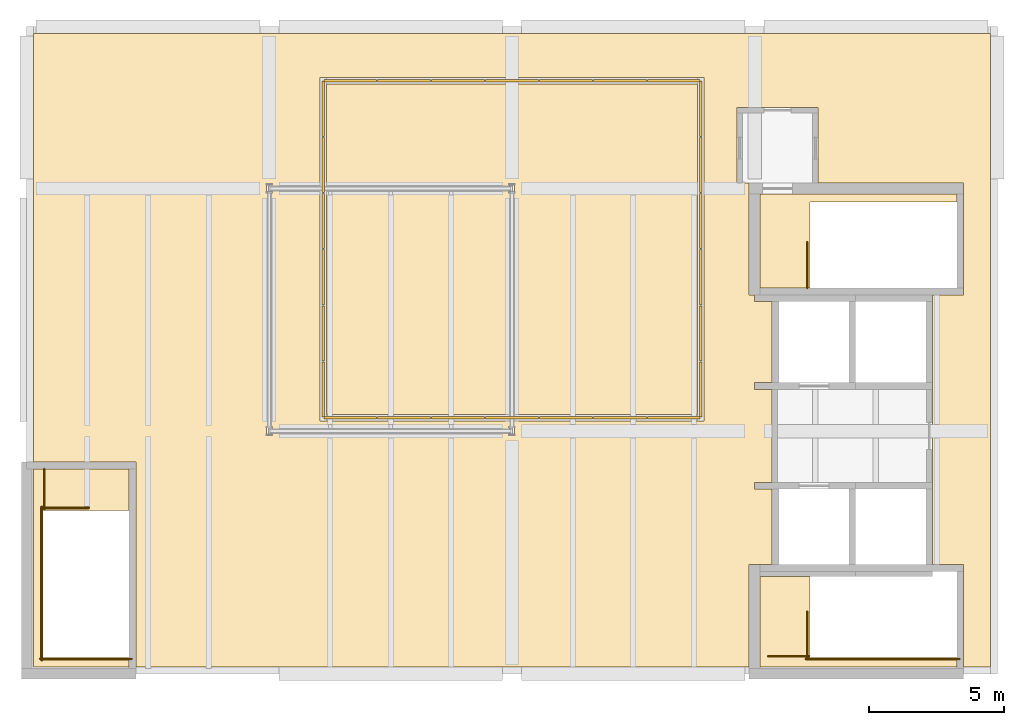
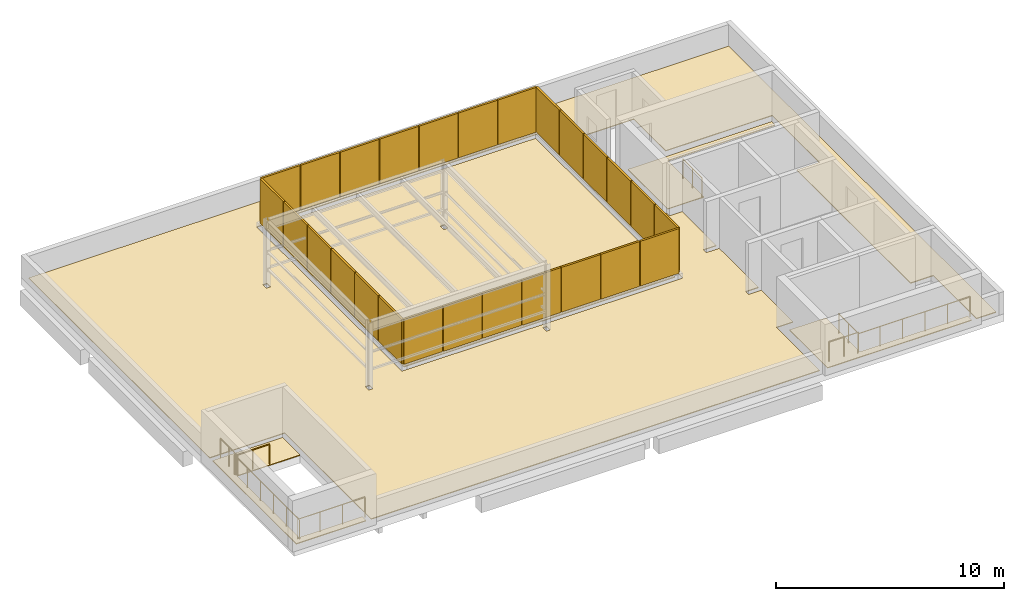
# One storey, part 5 of 5: 26 shading devices, 8 railings, 5 coverings.
"""IFC4 building model written with IfcOpenShell, lengths in metres."""

from ifc_helpers import new_model, si_unit, direction, frame, origin, origin_2d, place, context, subcontext, project, spatial, polyline, rectangle, circle, outline, extrude, material, layer, layer_set, type_object, element, save


model = new_model("IFC4")

# Units and contexts
model_context = context("Model", 3, precision=1e-05, world=origin(), true_north=direction((0.0, 1.0)))
body_context = subcontext(model_context, "Body", "Model", "MODEL_VIEW")
ifc_project = project(units=[si_unit("LENGTHUNIT", "METRE"), si_unit("AREAUNIT", "SQUARE_METRE"), si_unit("VOLUMEUNIT", "CUBIC_METRE"), si_unit("PLANEANGLEUNIT", "RADIAN"), si_unit("MASSUNIT", "GRAM", prefix="KILO")], contexts=[model_context])

# Site, building, storey
site_placement = place(None, origin())
site = spatial("IfcSite", under=ifc_project, at=site_placement, CompositionType="ELEMENT")
building_placement = place(site_placement, origin())
building = spatial("IfcBuilding", under=site, at=building_placement, Name="Merrow Basin Faculty of Sciences", CompositionType="ELEMENT")
storey_placement = place(building_placement, frame((0.0, 0.0, 40.5)))
storey = spatial("IfcBuildingStorey", under=building, at=storey_placement, Name="Roof", CompositionType="ELEMENT", Elevation=40.5)

# Shading devices
ifc_material_1 = material(Name="Aluminium alloy 6063", Category="aluminium")
ifc_layer_1 = layer(ifc_material_1, 0.10009765625)
ifc_layer_set_1 = layer_set([ifc_layer_1], Name="Louvre screen 2000 x 2400")
shading_device_type = type_object("IfcShadingDeviceType", Name="Louvre screen 2000 x 2400", PredefinedType="USERDEFINED", material=ifc_layer_set_1)
for number, where, z_axis, x_axis, name in (
    (1, (30.0, 151.5, 0.300048828125), (0.0, 0.0, 1.0), (1.0, 0.0, 0.0), "Plant louvre screen"),
    (2, (32.0, 151.5, 0.300048828125), (0.0, 0.0, 1.0), (1.0, 0.0, 0.0), "Plant louvre screen"),
    (3, (34.0, 151.5, 0.300048828125), (0.0, 0.0, 1.0), (1.0, 0.0, 0.0), "Plant louvre screen"),
    (4, (36.0, 151.5, 0.300048828125), (0.0, 0.0, 1.0), (1.0, 0.0, 0.0), "Plant louvre screen"),
    (5, (38.0, 151.5, 0.300048828125), (0.0, 0.0, 1.0), (1.0, 0.0, 0.0), "Plant louvre screen"),
    (6, (40.0, 151.5, 0.300048828125), (0.0, 0.0, 1.0), (1.0, 0.0, 0.0), "Plant louvre screen"),
    (7, (42.0, 151.5, 0.300048828125), (0.0, 0.0, 1.0), (1.0, 0.0, 0.0), "Plant louvre screen"),
):
    element("IfcShadingDevice", number, at=place(storey_placement, frame(where, z_axis=z_axis, x_axis=x_axis)), inside=storey, type_object=shading_device_type, Name=name, ObjectType="LOUVRE SCREEN", PredefinedType="USERDEFINED", context=body_context, shape_type="SweptSolid", body=[
        extrude(rectangle(XDim=1.9599609375, YDim=0.10009765625, at=origin_2d()), origin(), (0.0, 0.0, 1.0), 2.39990234375),
    ])
for number, where, z_axis, x_axis, name in (
    (8, (43.0, 152.5419921875, 0.300048828125), (0.0, 0.0, 1.0), (0.0, 1.0, 0.0), "Plant louvre screen"),
    (9, (43.0, 154.625, 0.300048828125), (0.0, 0.0, 1.0), (0.0, 1.0, 0.0), "Plant louvre screen"),
    (10, (43.0, 156.7080078125, 0.300048828125), (0.0, 0.0, 1.0), (0.0, 1.0, 0.0), "Plant louvre screen"),
    (11, (43.0, 158.7919921875, 0.300048828125), (0.0, 0.0, 1.0), (0.0, 1.0, 0.0), "Plant louvre screen"),
    (12, (43.0, 160.875, 0.300048828125), (0.0, 0.0, 1.0), (0.0, 1.0, 0.0), "Plant louvre screen"),
    (13, (43.0, 162.9580078125, 0.300048828125), (0.0, 0.0, 1.0), (0.0, 1.0, 0.0), "Plant louvre screen"),
):
    element("IfcShadingDevice", number, at=place(storey_placement, frame(where, z_axis=z_axis, x_axis=x_axis)), inside=storey, type_object=shading_device_type, Name=name, ObjectType="LOUVRE SCREEN", PredefinedType="USERDEFINED", context=body_context, shape_type="SweptSolid", body=[
        extrude(rectangle(XDim=2.04296875, YDim=0.10009765625, at=origin_2d()), origin(), (0.0, 0.0, 1.0), 2.39990234375),
    ])
for number, where, z_axis, x_axis, name in (
    (14, (42.0, 164.0, 0.300048828125), (0.0, 0.0, 1.0), (1.0, 0.0, 0.0), "Plant louvre screen"),
    (15, (40.0, 164.0, 0.300048828125), (0.0, 0.0, 1.0), (1.0, 0.0, 0.0), "Plant louvre screen"),
    (16, (38.0, 164.0, 0.300048828125), (0.0, 0.0, 1.0), (1.0, 0.0, 0.0), "Plant louvre screen"),
    (17, (36.0, 164.0, 0.300048828125), (0.0, 0.0, 1.0), (1.0, 0.0, 0.0), "Plant louvre screen"),
    (18, (34.0, 164.0, 0.300048828125), (0.0, 0.0, 1.0), (1.0, 0.0, 0.0), "Plant louvre screen"),
    (19, (32.0, 164.0, 0.300048828125), (0.0, 0.0, 1.0), (1.0, 0.0, 0.0), "Plant louvre screen"),
    (20, (30.0, 164.0, 0.300048828125), (0.0, 0.0, 1.0), (1.0, 0.0, 0.0), "Plant louvre screen"),
):
    element("IfcShadingDevice", number, at=place(storey_placement, frame(where, z_axis=z_axis, x_axis=x_axis)), inside=storey, type_object=shading_device_type, Name=name, ObjectType="LOUVRE SCREEN", PredefinedType="USERDEFINED", context=body_context, shape_type="SweptSolid", body=[
        extrude(rectangle(XDim=1.9599609375, YDim=0.10009765625, at=origin_2d()), origin(), (0.0, 0.0, 1.0), 2.39990234375),
    ])
for number, where, z_axis, x_axis, name in (
    (21, (29.0, 162.9580078125, 0.300048828125), (0.0, 0.0, 1.0), (0.0, 1.0, 0.0), "Plant louvre screen"),
    (22, (29.0, 160.875, 0.300048828125), (0.0, 0.0, 1.0), (0.0, 1.0, 0.0), "Plant louvre screen"),
    (23, (29.0, 158.7919921875, 0.300048828125), (0.0, 0.0, 1.0), (0.0, 1.0, 0.0), "Plant louvre screen"),
    (24, (29.0, 156.7080078125, 0.300048828125), (0.0, 0.0, 1.0), (0.0, 1.0, 0.0), "Plant louvre screen"),
    (25, (29.0, 154.625, 0.300048828125), (0.0, 0.0, 1.0), (0.0, 1.0, 0.0), "Plant louvre screen"),
    (26, (29.0, 152.5419921875, 0.300048828125), (0.0, 0.0, 1.0), (0.0, 1.0, 0.0), "Plant louvre screen"),
):
    element("IfcShadingDevice", number, at=place(storey_placement, frame(where, z_axis=z_axis, x_axis=x_axis)), inside=storey, type_object=shading_device_type, Name=name, ObjectType="LOUVRE SCREEN", PredefinedType="USERDEFINED", context=body_context, shape_type="SweptSolid", body=[
        extrude(rectangle(XDim=2.04296875, YDim=0.10009765625, at=origin_2d()), origin(), (0.0, 0.0, 1.0), 2.39990234375),
    ])

# Coverings
ifc_material_2 = material(Name="Bituminous roofing membrane")
ifc_layer_2 = layer(ifc_material_2, 0.0400390625)
ifc_layer_set_2 = layer_set([ifc_layer_2], Name="Roofing membrane 40")
covering_type = type_object("IfcCoveringType", Name="Roofing membrane 40", PredefinedType="ROOFING", material=ifc_layer_set_2)
covering_1_placement = place(storey_placement, origin())
element("IfcCovering", 27, at=covering_1_placement, inside=storey, type_object=covering_type, Name="Roofing membrane", PredefinedType="ROOFING", context=body_context, shape_type="SweptSolid", body=[
    extrude(outline(polyline([(53.75, 142.25), (52.75, 142.25), (52.75, 145.800048828125), (52.75, 146.050048828125), (51.60009765625, 146.050048828125), (51.60009765625, 148.85009765625), (51.60009765625, 149.10009765625), (51.60009765625, 152.550048828125), (51.60009765625, 152.800048828125), (51.60009765625, 155.800048828125), (51.60009765625, 156.050048828125), (52.75, 156.050048828125), (52.75, 156.300048828125), (52.75, 159.800048828125), (52.75, 160.199951171875), (47.35009765625, 160.199951171875), (47.35009765625, 162.800048828125), (47.35009765625, 163.0), (44.35009765625, 163.0), (44.35009765625, 160.199951171875), (44.550048828125, 160.199951171875), (44.800048828125, 160.199951171875), (44.800048828125, 159.800048828125), (44.800048828125, 156.050048828125), (45.0, 156.050048828125), (45.0, 155.800048828125), (45.64990234375, 155.800048828125), (45.64990234375, 152.800048828125), (45.0, 152.800048828125), (45.0, 152.550048828125), (45.64990234375, 152.550048828125), (45.64990234375, 149.10009765625), (45.0, 149.10009765625), (45.0, 148.85009765625), (45.64990234375, 148.85009765625), (45.64990234375, 146.050048828125), (45.199951171875, 146.050048828125), (45.0, 146.050048828125), (44.800048828125, 146.050048828125), (44.800048828125, 142.25), (22.050048828125, 142.25), (22.050048828125, 149.60009765625), (22.050048828125, 149.85009765625), (18.25, 149.85009765625), (18.25, 165.75), (53.75, 165.75), (53.75, 142.25)]), holes=[polyline([(26.8984375, 150.84912109375), (27.1015625, 150.84912109375), (27.1015625, 151.15087890625), (26.8984375, 151.15087890625), (26.8984375, 150.84912109375)]), polyline([(36.1015625, 150.84912109375), (36.1015625, 151.15087890625), (35.8984375, 151.15087890625), (35.8984375, 150.84912109375), (36.1015625, 150.84912109375)]), polyline([(28.875, 164.125), (28.875, 151.375), (43.125, 151.375), (43.125, 164.125), (28.875, 164.125)]), polyline([(26.8984375, 159.84912109375), (27.1015625, 159.84912109375), (27.1015625, 160.15087890625), (26.8984375, 160.15087890625), (26.8984375, 159.84912109375)])]), origin(), (0.0, 0.0, 1.0), 0.0400390625),
])
covering_2_placement = place(storey_placement, origin())
element("IfcCovering", 28, at=covering_2_placement, inside=storey, type_object=covering_type, Name="Roofing membrane", PredefinedType="ROOFING", context=body_context, shape_type="SweptSolid", body=[
    extrude(outline(polyline([(29.125, 163.875), (42.875, 163.875), (42.875, 151.625), (29.125, 151.625), (29.125, 163.875)]), holes=[polyline([(35.8984375, 159.84912109375), (36.1015625, 159.84912109375), (36.1015625, 160.15087890625), (35.8984375, 160.15087890625), (35.8984375, 159.84912109375)])]), origin(), (0.0, 0.0, 1.0), 0.0400390625),
])
covering_3_placement = place(storey_placement, origin())
element("IfcCovering", 29, at=covering_3_placement, inside=storey, type_object=covering_type, Name="Roofing membrane", PredefinedType="ROOFING", context=body_context, shape_type="SweptSolid", body=[
    extrude(outline(polyline([(18.25, 142.25), (18.25, 149.60009765625), (21.800048828125, 149.60009765625), (21.800048828125, 148.050048828125), (18.60009765625, 148.050048828125), (18.60009765625, 142.60009765625), (21.800048828125, 142.60009765625), (21.800048828125, 142.25), (18.25, 142.25)])), origin(), (0.0, 0.0, 1.0), 0.0400390625),
])
covering_4_placement = place(storey_placement, origin())
element("IfcCovering", 30, at=covering_4_placement, inside=storey, type_object=covering_type, Name="Roofing membrane", PredefinedType="ROOFING", context=body_context, shape_type="SweptSolid", body=[
    extrude(outline(polyline([(45.199951171875, 159.800048828125), (52.5, 159.800048828125), (52.5, 159.5), (47.050048828125, 159.5), (47.050048828125, 156.300048828125), (45.199951171875, 156.300048828125), (45.199951171875, 159.800048828125)])), origin(), (0.0, 0.0, 1.0), 0.0400390625),
])
covering_5_placement = place(storey_placement, origin())
element("IfcCovering", 31, at=covering_5_placement, inside=storey, type_object=covering_type, Name="Roofing membrane", PredefinedType="ROOFING", context=body_context, shape_type="SweptSolid", body=[
    extrude(outline(polyline([(45.199951171875, 142.25), (45.199951171875, 145.60009765625), (47.050048828125, 145.60009765625), (47.050048828125, 142.60009765625), (52.5, 142.60009765625), (52.5, 142.25), (45.199951171875, 142.25)])), origin(), (0.0, 0.0, 1.0), 0.0400390625),
])

# Railings
ifc_material_3 = material(Name="Steel ASTM A36", Category="steel")
railing_type = type_object("IfcRailingType", Name="Steel guard 1100", PredefinedType="GUARDRAIL", material=ifc_material_3)
for number, where, name in (
    (32, (46.949951171875, 156.300048828125, 0.0), "Roof ST-V5-S top well guard 1"),
    (33, (46.949951171875, 142.60009765625, 0.0), "Roof ST-V5-N top well guard 1"),
):
    element("IfcRailing", number, at=place(storey_placement, frame(where)), inside=storey, type_object=railing_type, Name=name, PredefinedType="GUARDRAIL", context=body_context, shape_type="SweptSolid", body=[
        extrude(circle(Radius=0.02392578125, at=origin_2d()), frame((0.0, 0.0, 1.076171875), z_axis=(0.0, 1.0, 0.0), x_axis=(-1.0, 0.0, 0.0)), (0.0, 0.0, 1.0), 1.699951171875),
        extrude(circle(Radius=0.02099609375, at=origin_2d()), origin(), (0.0, 0.0, 1.0), 1.052001953125),
        extrude(circle(Radius=0.02099609375, at=origin_2d()), frame((0.0, 0.85009765625, 0.0)), (0.0, 0.0, 1.0), 1.052001953125),
        extrude(circle(Radius=0.02099609375, at=origin_2d()), frame((0.0, 1.699951171875, 0.0)), (0.0, 0.0, 1.0), 1.052001953125),
    ])
railing_1_placement = place(storey_placement, frame((46.89990234375, 142.550048828125, 0.0)))
element("IfcRailing", 34, at=railing_1_placement, inside=storey, type_object=railing_type, Name="Roof ST-V5-N top well guard 2", PredefinedType="GUARDRAIL", context=body_context, shape_type="SweptSolid", body=[
    extrude(circle(Radius=0.02392578125, at=origin_2d()), frame((0.0, 0.0, 1.076171875), z_axis=(1.0, 0.0, 0.0), x_axis=(0.0, 1.0, 0.0)), (0.0, 0.0, 1.0), 5.7001953125),
    extrude(circle(Radius=0.02099609375, at=origin_2d()), origin(), (0.0, 0.0, 1.0), 1.052001953125),
    extrude(circle(Radius=0.02099609375, at=origin_2d()), frame((1.14013671875, 0.0, 0.0)), (0.0, 0.0, 1.0), 1.052001953125),
    extrude(circle(Radius=0.02099609375, at=origin_2d()), frame((2.280029296875, 0.0, 0.0)), (0.0, 0.0, 1.0), 1.052001953125),
    extrude(circle(Radius=0.02099609375, at=origin_2d()), frame((3.420166015625, 0.0, 0.0)), (0.0, 0.0, 1.0), 1.052001953125),
    extrude(circle(Radius=0.02099609375, at=origin_2d()), frame((4.56005859375, 0.0, 0.0)), (0.0, 0.0, 1.0), 1.052001953125),
    extrude(circle(Radius=0.02099609375, at=origin_2d()), frame((5.7001953125, 0.0, 0.0)), (0.0, 0.0, 1.0), 1.052001953125),
])
railing_2_placement = place(storey_placement, frame((45.5, 142.64990234375, 0.0)))
element("IfcRailing", 35, at=railing_2_placement, inside=storey, type_object=railing_type, Name="Roof ST-V5-N top well guard 3", PredefinedType="GUARDRAIL", context=body_context, shape_type="SweptSolid", body=[
    extrude(circle(Radius=0.02392578125, at=origin_2d()), frame((0.0, 0.0, 1.076171875), z_axis=(1.0, 0.0, 0.0), x_axis=(0.0, 1.0, 0.0)), (0.0, 0.0, 1.0), 1.5),
    extrude(circle(Radius=0.02099609375, at=origin_2d()), origin(), (0.0, 0.0, 1.0), 1.052001953125),
    extrude(circle(Radius=0.02099609375, at=origin_2d()), frame((0.75, 0.0, 0.0)), (0.0, 0.0, 1.0), 1.052001953125),
    extrude(circle(Radius=0.02099609375, at=origin_2d()), frame((1.5, 0.0, 0.0)), (0.0, 0.0, 1.0), 1.052001953125),
])
railing_3_placement = place(storey_placement, frame((18.60009765625, 148.14990234375, 0.0)))
element("IfcRailing", 36, at=railing_3_placement, inside=storey, type_object=railing_type, Name="Roof ST-V5-W top well guard 1", PredefinedType="GUARDRAIL", context=body_context, shape_type="SweptSolid", body=[
    extrude(circle(Radius=0.02392578125, at=origin_2d()), frame((0.0, 0.0, 1.076171875), z_axis=(1.0, 0.0, 0.0), x_axis=(0.0, 1.0, 0.0)), (0.0, 0.0, 1.0), 1.699951171875),
    extrude(circle(Radius=0.02099609375, at=origin_2d()), origin(), (0.0, 0.0, 1.0), 1.052001953125),
    extrude(circle(Radius=0.02099609375, at=origin_2d()), frame((0.85009765625, 0.0, 0.0)), (0.0, 0.0, 1.0), 1.052001953125),
    extrude(circle(Radius=0.02099609375, at=origin_2d()), frame((1.699951171875, 0.0, 0.0)), (0.0, 0.0, 1.0), 1.052001953125),
])
railing_4_placement = place(storey_placement, frame((18.550048828125, 148.199951171875, 0.0)))
element("IfcRailing", 37, at=railing_4_placement, inside=storey, type_object=railing_type, Name="Roof ST-V5-W top well guard 2", PredefinedType="GUARDRAIL", context=body_context, shape_type="SweptSolid", body=[
    extrude(circle(Radius=0.02392578125, at=origin_2d()), frame((0.0, 0.0, 1.076171875), z_axis=(0.0, -1.0, 0.0), x_axis=(1.0, 0.0, 0.0)), (0.0, 0.0, 1.0), 5.699951171875),
    extrude(circle(Radius=0.02099609375, at=origin_2d()), origin(), (0.0, 0.0, 1.0), 1.052001953125),
    extrude(circle(Radius=0.02099609375, at=origin_2d()), frame((0.0, -1.139892578125, 0.0)), (0.0, 0.0, 1.0), 1.052001953125),
    extrude(circle(Radius=0.02099609375, at=origin_2d()), frame((0.0, -2.280029296875, 0.0)), (0.0, 0.0, 1.0), 1.052001953125),
    extrude(circle(Radius=0.02099609375, at=origin_2d()), frame((0.0, -3.419921875, 0.0)), (0.0, 0.0, 1.0), 1.052001953125),
    extrude(circle(Radius=0.02099609375, at=origin_2d()), frame((0.0, -4.56005859375, 0.0)), (0.0, 0.0, 1.0), 1.052001953125),
    extrude(circle(Radius=0.02099609375, at=origin_2d()), frame((0.0, -5.699951171875, 0.0)), (0.0, 0.0, 1.0), 1.052001953125),
])
railing_5_placement = place(storey_placement, frame((18.5, 142.550048828125, 0.0)))
element("IfcRailing", 38, at=railing_5_placement, inside=storey, type_object=railing_type, Name="Roof ST-V5-W top well guard 3", PredefinedType="GUARDRAIL", context=body_context, shape_type="SweptSolid", body=[
    extrude(circle(Radius=0.02392578125, at=origin_2d()), frame((0.0, 0.0, 1.076171875), z_axis=(1.0, 0.0, 0.0), x_axis=(0.0, 1.0, 0.0)), (0.0, 0.0, 1.0), 3.39990234375),
    extrude(circle(Radius=0.02099609375, at=origin_2d()), origin(), (0.0, 0.0, 1.0), 1.052001953125),
    extrude(circle(Radius=0.02099609375, at=origin_2d()), frame((1.13330078125, 0.0, 0.0)), (0.0, 0.0, 1.0), 1.052001953125),
    extrude(circle(Radius=0.02099609375, at=origin_2d()), frame((2.2666015625, 0.0, 0.0)), (0.0, 0.0, 1.0), 1.052001953125),
    extrude(circle(Radius=0.02099609375, at=origin_2d()), frame((3.39990234375, 0.0, 0.0)), (0.0, 0.0, 1.0), 1.052001953125),
])
railing_6_placement = place(storey_placement, frame((18.64990234375, 149.60009765625, 0.0)))
element("IfcRailing", 39, at=railing_6_placement, inside=storey, type_object=railing_type, Name="Roof ST-V5-W top well guard 4", PredefinedType="GUARDRAIL", context=body_context, shape_type="SweptSolid", body=[
    extrude(circle(Radius=0.02392578125, at=origin_2d()), frame((0.0, 0.0, 1.076171875), z_axis=(0.0, -1.0, 0.0), x_axis=(1.0, 0.0, 0.0)), (0.0, 0.0, 1.0), 1.5),
    extrude(circle(Radius=0.02099609375, at=origin_2d()), origin(), (0.0, 0.0, 1.0), 1.052001953125),
    extrude(circle(Radius=0.02099609375, at=origin_2d()), frame((0.0, -0.75, 0.0)), (0.0, 0.0, 1.0), 1.052001953125),
    extrude(circle(Radius=0.02099609375, at=origin_2d()), frame((0.0, -1.5, 0.0)), (0.0, 0.0, 1.0), 1.052001953125),
])

save(model, "model.ifc")
